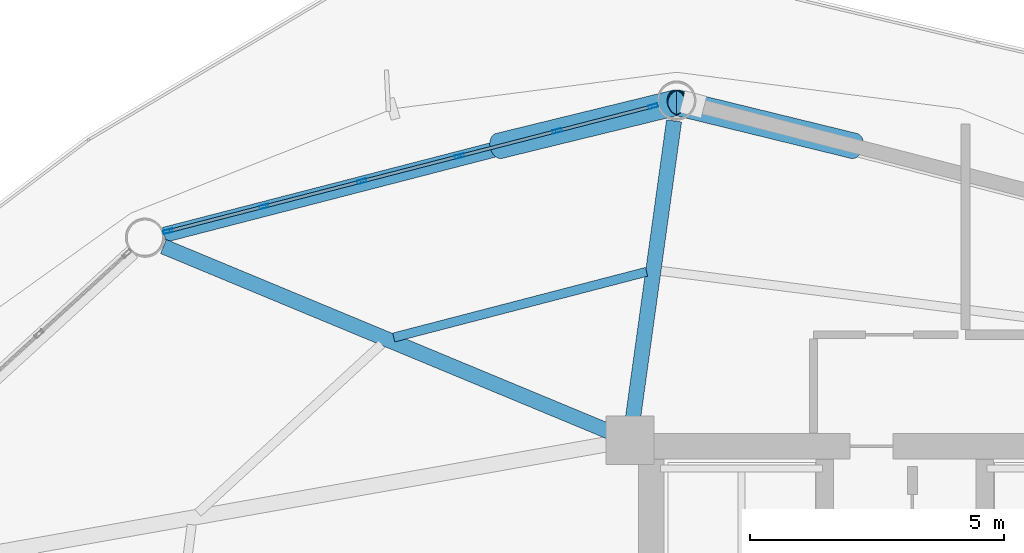
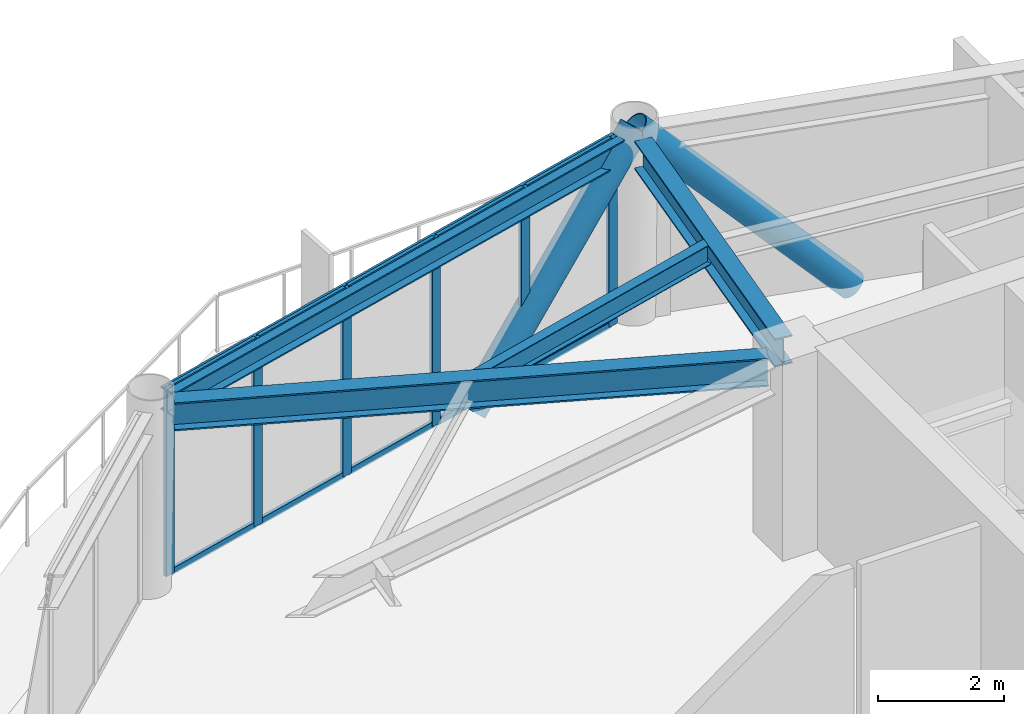
# One storey, part 16 of 23: 18 members, 4 beams, 1 element without a shape of its own.
"""IFC4 building model written with IfcOpenShell, lengths in metres."""

from ifc_helpers import new_model, si_unit, direction, frame, origin, origin_2d, place, context, subcontext, project, spatial, hollow_rectangle, hollow_circle, i_section, extrude, material, layer, layer_set, material_profile, profile_set, type_object, element, aggregate, save


model = new_model("IFC4")

# Units and contexts
model_context = context("Model", 3, precision=1e-05, world=origin(), true_north=direction((0.0, 1.0)))
body_context = subcontext(model_context, "Body", "Model", "MODEL_VIEW")
ifc_project = project(units=[si_unit("LENGTHUNIT", "METRE"), si_unit("AREAUNIT", "SQUARE_METRE"), si_unit("VOLUMEUNIT", "CUBIC_METRE"), si_unit("PLANEANGLEUNIT", "RADIAN"), si_unit("MASSUNIT", "GRAM", prefix="KILO")], contexts=[model_context])

# Site, building, storey
site_placement = place(None, origin())
site = spatial("IfcSite", under=ifc_project, at=site_placement, CompositionType="ELEMENT")
building_placement = place(site_placement, origin())
building = spatial("IfcBuilding", under=site, at=building_placement, Name="Varnakorn Sky Granary", CompositionType="ELEMENT")
storey_placement = place(building_placement, frame((0.0, 0.0, 130.5)))
storey = spatial("IfcBuildingStorey", under=building, at=storey_placement, Name="L32", CompositionType="ELEMENT", Elevation=130.5)

# Beams
ifc_material_1 = material(Name="Steel S355JR", Category="steel")
ifc_material_profile_1 = material_profile(ifc_material_1, i_section(OverallWidth=0.300048828125, OverallDepth=0.550048828125, WebThickness=0.014892578125, FlangeThickness=0.029052734375, at=origin_2d()), Name="HE 550 B")
ifc_profile_set_1 = profile_set([ifc_material_profile_1], Name="Steel S355JR")
beam_type_1 = type_object("IfcBeamType", Name="BM-RAD-Z3", PredefinedType="BEAM", material=ifc_profile_set_1)
beam_1_placement = place(storey_placement, frame((-2.362548828125, 13.035888671875, 3.364990234375), z_axis=(0.136865623172, 0.990589622999, 0.0), x_axis=(-0.990589622999, 0.136865623172, 0.0)))
element("IfcBeam", 1, at=beam_1_placement, inside=storey, type_object=beam_type_1, Name="Radial Floor Girder RG04 L32", PredefinedType="BEAM", context=body_context, shape_type="SweptSolid", body=[
    extrude(i_section(OverallWidth=0.300048828125, OverallDepth=0.550048828125, WebThickness=0.014892578125, FlangeThickness=0.029052734375, at=origin_2d()), origin(), (0.0, 0.0, 1.0), 5.9365234375),
])
beam_2_placement = place(storey_placement, frame((-2.807861328125, 12.781005859375, 3.364990234375), z_axis=(-0.923578840999, 0.383408560753, 0.0), x_axis=(-0.383408560753, -0.923578840999, 0.0)))
element("IfcBeam", 2, at=beam_2_placement, inside=storey, type_object=beam_type_1, Name="Radial Floor Girder RG05 L32", PredefinedType="BEAM", context=body_context, shape_type="SweptSolid", body=[
    extrude(i_section(OverallWidth=0.300048828125, OverallDepth=0.550048828125, WebThickness=0.014892578125, FlangeThickness=0.029052734375, at=origin_2d()), origin(), (0.0, 0.0, 1.0), 9.54052734375),
])
ifc_material_profile_2 = material_profile(ifc_material_1, i_section(OverallWidth=0.179931640625, OverallDepth=0.39990234375, WebThickness=0.008544921875, FlangeThickness=0.013427734375, at=origin_2d()), Name="IPE 400")
ifc_profile_set_2 = profile_set([ifc_material_profile_2], Name="Steel S355JR")
beam_type_2 = type_object("IfcBeamType", Name="BM-SEC-Z3", PredefinedType="BEAM", material=ifc_profile_set_2)
beam_3_placement = place(storey_placement, frame((-2.091796875, 15.94091796875, 3.43994140625), z_axis=(-0.967859888343, -0.251490032679, 0.0), x_axis=(0.251490032679, -0.967859888343, 0.0)))
element("IfcBeam", 3, at=beam_3_placement, inside=storey, type_object=beam_type_2, Name="Secondary Floor Chord Beam MSB04 L32", PredefinedType="BEAM", context=body_context, shape_type="SweptSolid", body=[
    extrude(i_section(OverallWidth=0.179931640625, OverallDepth=0.39990234375, WebThickness=0.008544921875, FlangeThickness=0.013427734375, at=origin_2d()), origin(), (0.0, 0.0, 1.0), 5.15185546875),
])
ifc_material_profile_3 = material_profile(ifc_material_1, i_section(OverallWidth=0.300048828125, OverallDepth=0.449951171875, WebThickness=0.013916015625, FlangeThickness=0.02587890625, at=origin_2d()), Name="HE 450 B")
ifc_profile_set_3 = profile_set([ifc_material_profile_3], Name="Steel S355JR")
beam_type_3 = type_object("IfcBeamType", Name="BM-SPD-Z3", PredefinedType="SPANDREL", material=ifc_profile_set_3)
beam_4_placement = place(storey_placement, frame((-1.8544921875, 19.1875, 3.4150390625), z_axis=(-0.96825101145, -0.24997995685, 0.0), x_axis=(0.24997995685, -0.96825101145, 0.0)))
element("IfcBeam", 4, at=beam_4_placement, inside=storey, type_object=beam_type_3, Name="Perimeter Spandrel Ring Beam RB04 L32", PredefinedType="SPANDREL", context=body_context, shape_type="SweptSolid", body=[
    extrude(i_section(OverallWidth=0.300048828125, OverallDepth=0.449951171875, WebThickness=0.013916015625, FlangeThickness=0.02587890625, at=origin_2d()), origin(), (0.0, 0.0, 1.0), 10.068115234375),
])

# Curtain wall, members
ifc_material_2 = material(Name="Anodised Bronze Aluminium Alloy 6063-T6", Category="aluminium")
ifc_layer = layer(ifc_material_2, 0.179931640625, Name="Anodised Bronze Aluminium Alloy 6063-T6")
ifc_layer_set = layer_set([ifc_layer], Name="Anodised Bronze Aluminium Alloy 6063-T6")
curtain_wall_type = type_object("IfcCurtainWallType", Name="CW-FRM-2", PredefinedType="USERDEFINED", material=ifc_layer_set)
curtain_wall_placement = place(storey_placement, origin())
curtain_wall = element("IfcCurtainWall", 5, at=curtain_wall_placement, inside=storey, type_object=curtain_wall_type, Name="Unitised Curtain Wall CW4 CW-L32-B04", ObjectType="CURTAIN WALL", PredefinedType="USERDEFINED")
ifc_material_profile_4 = material_profile(ifc_material_2, hollow_rectangle(XDim=0.070068359375, YDim=0.18505859375, WallThickness=0.00390625, at=origin_2d()), Name="ALU MULL 70x185")
ifc_profile_set_4 = profile_set([ifc_material_profile_4], Name="Anodised Bronze Aluminium Alloy 6063-T6")
member_type_1 = type_object("IfcMemberType", Name="CW-FRM-2-MULL", PredefinedType="MULLION", material=ifc_profile_set_4)
member_1_placement = place(storey_placement, frame((-11.530029296875, 16.73876953125, 0.0), z_axis=(0.0, 0.0, 1.0), x_axis=(-0.249777432172, 0.968303276034, 0.0)))
member_1 = element("IfcMember", 6, at=member_1_placement, type_object=member_type_1, Name="CW4 mullion 1", PredefinedType="MULLION", context=body_context, shape_type="SweptSolid", body=[
    extrude(hollow_rectangle(XDim=0.070068359375, YDim=0.18505859375, WallThickness=0.00390625, at=origin_2d()), origin(), (0.0, 0.0, 1.0), 3.639892578125),
])
member_2_placement = place(storey_placement, frame((-9.63671875, 17.227294921875, 0.0), z_axis=(0.0, 0.0, 1.0), x_axis=(-0.249777432172, 0.968303276034, 0.0)))
member_2 = element("IfcMember", 7, at=member_2_placement, type_object=member_type_1, Name="CW4 mullion 2", PredefinedType="MULLION", context=body_context, shape_type="SweptSolid", body=[
    extrude(hollow_rectangle(XDim=0.070068359375, YDim=0.18505859375, WallThickness=0.00390625, at=origin_2d()), origin(), (0.0, 0.0, 1.0), 3.639892578125),
])
member_3_placement = place(storey_placement, frame((-7.709228515625, 17.724365234375, 0.0), z_axis=(0.0, 0.0, 1.0), x_axis=(-0.249777432172, 0.968303276034, 0.0)))
member_3 = element("IfcMember", 8, at=member_3_placement, type_object=member_type_1, Name="CW4 mullion 3", PredefinedType="MULLION", context=body_context, shape_type="SweptSolid", body=[
    extrude(hollow_rectangle(XDim=0.070068359375, YDim=0.18505859375, WallThickness=0.00390625, at=origin_2d()), origin(), (0.0, 0.0, 1.0), 3.639892578125),
])
member_4_placement = place(storey_placement, frame((-5.78173828125, 18.221435546875, 0.0), z_axis=(0.0, 0.0, 1.0), x_axis=(-0.249777432172, 0.968303276034, 0.0)))
member_4 = element("IfcMember", 9, at=member_4_placement, type_object=member_type_1, Name="CW4 mullion 4", PredefinedType="MULLION", context=body_context, shape_type="SweptSolid", body=[
    extrude(hollow_rectangle(XDim=0.070068359375, YDim=0.18505859375, WallThickness=0.00390625, at=origin_2d()), origin(), (0.0, 0.0, 1.0), 3.639892578125),
])
member_5_placement = place(storey_placement, frame((-3.8544921875, 18.71875, 0.0), z_axis=(0.0, 0.0, 1.0), x_axis=(-0.249777432172, 0.968303276034, 0.0)))
member_5 = element("IfcMember", 10, at=member_5_placement, type_object=member_type_1, Name="CW4 mullion 5", PredefinedType="MULLION", context=body_context, shape_type="SweptSolid", body=[
    extrude(hollow_rectangle(XDim=0.070068359375, YDim=0.18505859375, WallThickness=0.00390625, at=origin_2d()), origin(), (0.0, 0.0, 1.0), 3.639892578125),
])
member_6_placement = place(storey_placement, frame((-1.9609375, 19.207275390625, 0.0), z_axis=(0.0, 0.0, 1.0), x_axis=(-0.249777432172, 0.968303276034, 0.0)))
member_6 = element("IfcMember", 11, at=member_6_placement, type_object=member_type_1, Name="CW4 mullion 6", PredefinedType="MULLION", context=body_context, shape_type="SweptSolid", body=[
    extrude(hollow_rectangle(XDim=0.070068359375, YDim=0.18505859375, WallThickness=0.00390625, at=origin_2d()), origin(), (0.0, 0.0, 1.0), 3.639892578125),
])
ifc_material_profile_5 = material_profile(ifc_material_2, hollow_rectangle(XDim=0.06494140625, YDim=0.1201171875, WallThickness=0.00341796875, at=origin_2d()), Name="ALU TRAN 65x120")
ifc_profile_set_5 = profile_set([ifc_material_profile_5], Name="Anodised Bronze Aluminium Alloy 6063-T6")
member_type_2 = type_object("IfcMemberType", Name="CW-FRM-2-TRAN", PredefinedType="USERDEFINED", material=ifc_profile_set_5)
member_7_placement = place(storey_placement, frame((-11.496337890625, 16.74755859375, 0.032470703125), z_axis=(0.968310661663, 0.249748798816, 0.0), x_axis=(-0.249748798816, 0.968310661663, 0.0)))
member_7 = element("IfcMember", 12, at=member_7_placement, type_object=member_type_2, Name="CW4 transom 1.1", ObjectType="TRANSOM", PredefinedType="USERDEFINED", context=body_context, shape_type="SweptSolid", body=[
    extrude(hollow_rectangle(XDim=0.06494140625, YDim=0.1201171875, WallThickness=0.00341796875, at=origin_2d()), origin(), (0.0, 0.0, 1.0), 1.8857421875),
])
member_8_placement = place(storey_placement, frame((-11.496337890625, 16.74755859375, 3.607421875), z_axis=(0.968310661663, 0.249748798816, 0.0), x_axis=(-0.249748798816, 0.968310661663, 0.0)))
member_8 = element("IfcMember", 13, at=member_8_placement, type_object=member_type_2, Name="CW4 transom 1.2", ObjectType="TRANSOM", PredefinedType="USERDEFINED", context=body_context, shape_type="SweptSolid", body=[
    extrude(hollow_rectangle(XDim=0.06494140625, YDim=0.1201171875, WallThickness=0.00341796875, at=origin_2d()), origin(), (0.0, 0.0, 1.0), 1.8857421875),
])
member_9_placement = place(storey_placement, frame((-9.602783203125, 17.23583984375, 0.032470703125), z_axis=(0.968298156162, 0.249797279356, 0.0), x_axis=(-0.249797279356, 0.968298156162, 0.0)))
member_9 = element("IfcMember", 14, at=member_9_placement, type_object=member_type_2, Name="CW4 transom 2.1", ObjectType="TRANSOM", PredefinedType="USERDEFINED", context=body_context, shape_type="SweptSolid", body=[
    extrude(hollow_rectangle(XDim=0.06494140625, YDim=0.1201171875, WallThickness=0.00341796875, at=origin_2d()), origin(), (0.0, 0.0, 1.0), 1.92041015625),
])
member_10_placement = place(storey_placement, frame((-9.602783203125, 17.23583984375, 3.607421875), z_axis=(0.968298156162, 0.249797279356, 0.0), x_axis=(-0.249797279356, 0.968298156162, 0.0)))
member_10 = element("IfcMember", 15, at=member_10_placement, type_object=member_type_2, Name="CW4 transom 2.2", ObjectType="TRANSOM", PredefinedType="USERDEFINED", context=body_context, shape_type="SweptSolid", body=[
    extrude(hollow_rectangle(XDim=0.06494140625, YDim=0.1201171875, WallThickness=0.00341796875, at=origin_2d()), origin(), (0.0, 0.0, 1.0), 1.92041015625),
])
member_11_placement = place(storey_placement, frame((-7.67529296875, 17.733154296875, 0.032470703125), z_axis=(0.968298156162, 0.249797279356, 0.0), x_axis=(-0.249797279356, 0.968298156162, 0.0)))
member_11 = element("IfcMember", 16, at=member_11_placement, type_object=member_type_2, Name="CW4 transom 3.1", ObjectType="TRANSOM", PredefinedType="USERDEFINED", context=body_context, shape_type="SweptSolid", body=[
    extrude(hollow_rectangle(XDim=0.06494140625, YDim=0.1201171875, WallThickness=0.00341796875, at=origin_2d()), origin(), (0.0, 0.0, 1.0), 1.92041015625),
])
member_12_placement = place(storey_placement, frame((-7.67529296875, 17.733154296875, 3.607421875), z_axis=(0.968298156162, 0.249797279356, 0.0), x_axis=(-0.249797279356, 0.968298156162, 0.0)))
member_12 = element("IfcMember", 17, at=member_12_placement, type_object=member_type_2, Name="CW4 transom 3.2", ObjectType="TRANSOM", PredefinedType="USERDEFINED", context=body_context, shape_type="SweptSolid", body=[
    extrude(hollow_rectangle(XDim=0.06494140625, YDim=0.1201171875, WallThickness=0.00341796875, at=origin_2d()), origin(), (0.0, 0.0, 1.0), 1.92041015625),
])
member_13_placement = place(storey_placement, frame((-5.747802734375, 18.230224609375, 0.032470703125), z_axis=(0.968298156162, 0.249797279356, 0.0), x_axis=(-0.249797279356, 0.968298156162, 0.0)))
member_13 = element("IfcMember", 18, at=member_13_placement, type_object=member_type_2, Name="CW4 transom 4.1", ObjectType="TRANSOM", PredefinedType="USERDEFINED", context=body_context, shape_type="SweptSolid", body=[
    extrude(hollow_rectangle(XDim=0.06494140625, YDim=0.1201171875, WallThickness=0.00341796875, at=origin_2d()), origin(), (0.0, 0.0, 1.0), 1.92041015625),
])
member_14_placement = place(storey_placement, frame((-5.747802734375, 18.230224609375, 3.607421875), z_axis=(0.968298156162, 0.249797279356, 0.0), x_axis=(-0.249797279356, 0.968298156162, 0.0)))
member_14 = element("IfcMember", 19, at=member_14_placement, type_object=member_type_2, Name="CW4 transom 4.2", ObjectType="TRANSOM", PredefinedType="USERDEFINED", context=body_context, shape_type="SweptSolid", body=[
    extrude(hollow_rectangle(XDim=0.06494140625, YDim=0.1201171875, WallThickness=0.00341796875, at=origin_2d()), origin(), (0.0, 0.0, 1.0), 1.92041015625),
])
member_15_placement = place(storey_placement, frame((-3.820556640625, 18.7275390625, 0.032470703125), z_axis=(0.968302584484, 0.249780113061, 0.0), x_axis=(-0.249780113061, 0.968302584484, 0.0)))
member_15 = element("IfcMember", 20, at=member_15_placement, type_object=member_type_2, Name="CW4 transom 5.1", ObjectType="TRANSOM", PredefinedType="USERDEFINED", context=body_context, shape_type="SweptSolid", body=[
    extrude(hollow_rectangle(XDim=0.06494140625, YDim=0.1201171875, WallThickness=0.00341796875, at=origin_2d()), origin(), (0.0, 0.0, 1.0), 1.885498046875),
])
member_16_placement = place(storey_placement, frame((-3.820556640625, 18.7275390625, 3.607421875), z_axis=(0.968302584484, 0.249780113061, 0.0), x_axis=(-0.249780113061, 0.968302584484, 0.0)))
member_16 = element("IfcMember", 21, at=member_16_placement, type_object=member_type_2, Name="CW4 transom 5.2", ObjectType="TRANSOM", PredefinedType="USERDEFINED", context=body_context, shape_type="SweptSolid", body=[
    extrude(hollow_rectangle(XDim=0.06494140625, YDim=0.1201171875, WallThickness=0.00341796875, at=origin_2d()), origin(), (0.0, 0.0, 1.0), 1.885498046875),
])
aggregate(curtain_wall, [member_1, member_2, member_3, member_4, member_5, member_6, member_7, member_8, member_9, member_10, member_11, member_12, member_13, member_14, member_15, member_16])

# Members
ifc_material_3 = material(Name="Steel S460M", Category="steel")
ifc_material_profile_6 = material_profile(ifc_material_3, hollow_circle(Radius=0.25390625, WallThickness=0.01806640625, at=origin_2d()), Name="CHS 508x18")
ifc_profile_set_6 = profile_set([ifc_material_profile_6], Name="Steel S460M")
member_type_3 = type_object("IfcMemberType", Name="MB-DIAG-T2", PredefinedType="BRACE", material=ifc_profile_set_6)
for number, where, z_axis, x_axis, name in (
    (22, (1.9970703125, 18.424072265625, -0.1298828125), (-0.670881734588, 0.164020373815, 0.72319777044), (-0.237490063369, -0.971389967933, 0.0), "Perimeter CHS Diagrid Brace DG03 L32"),
    (23, (-4.9970703125, 18.424072265625, -0.1298828125), (0.670881734588, 0.164020373815, 0.72319777044), (-0.237490063369, 0.971389967933, 0.0), "Perimeter CHS Diagrid Brace DG04 L32"),
):
    element("IfcMember", number, at=place(storey_placement, frame(where, z_axis=z_axis, x_axis=x_axis)), inside=storey, type_object=member_type_3, Name=name, PredefinedType="BRACE", context=body_context, shape_type="SweptSolid", body=[
        extrude(hollow_circle(Radius=0.25390625, WallThickness=0.01806640625, at=origin_2d()), origin(), (0.0, 0.0, 1.0), 5.212646484375),
    ])

save(model, "model.ifc")
